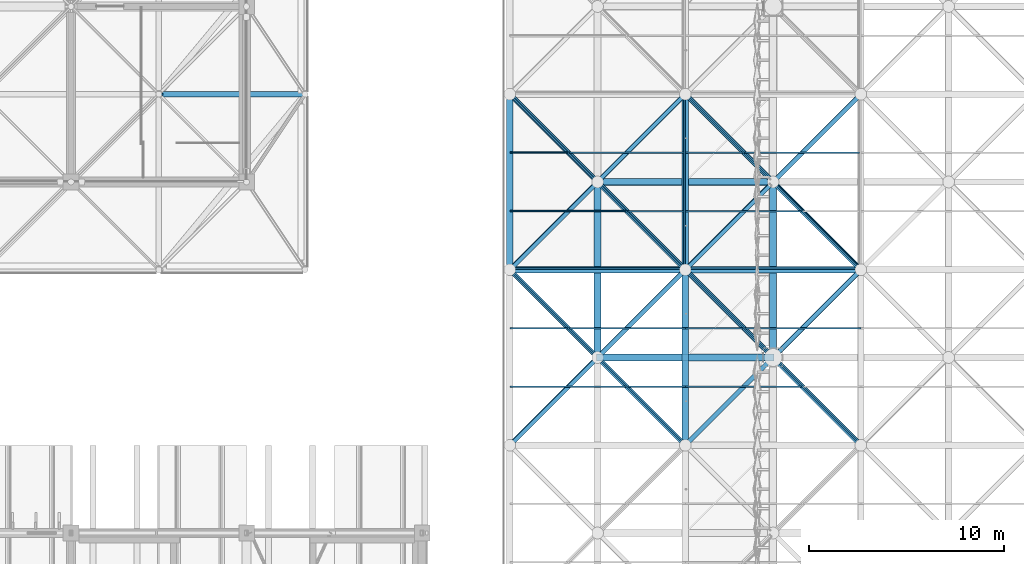
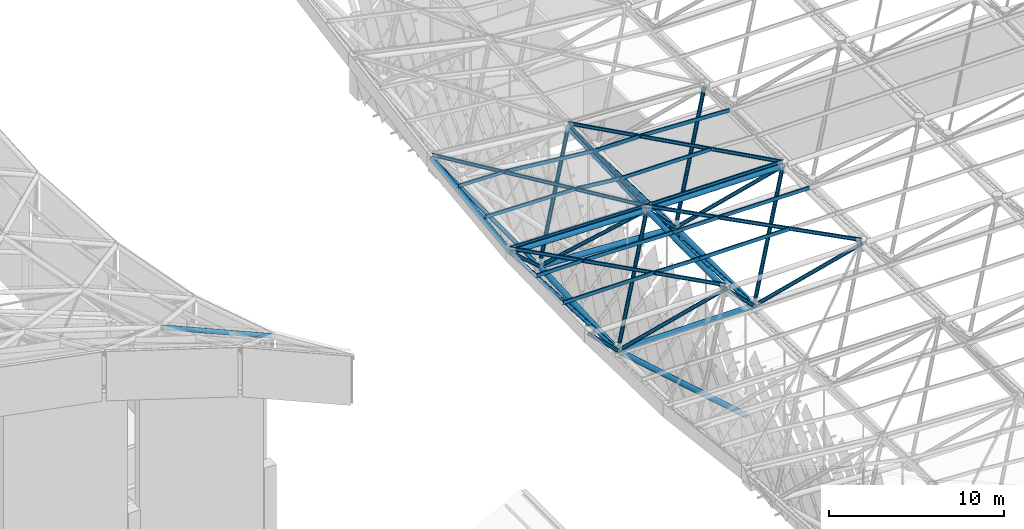
# One storey, part 80 of 437: 48 members.
"""IFC4 building model written with IfcOpenShell, lengths in metres."""

from ifc_helpers import new_model, si_unit, direction, frame, origin, origin_2d, place, context, subcontext, project, spatial, polyline, hollow_circle, outline, extrude, material, material_profile, profile_set, type_object, element, save


model = new_model("IFC4")

# Units and contexts
model_context = context("Model", 3, precision=1e-05, world=origin(), true_north=direction((0.0, 1.0)))
body_context = subcontext(model_context, "Body", "Model", "MODEL_VIEW")
ifc_project = project(units=[si_unit("LENGTHUNIT", "METRE"), si_unit("AREAUNIT", "SQUARE_METRE"), si_unit("VOLUMEUNIT", "CUBIC_METRE"), si_unit("PLANEANGLEUNIT", "RADIAN"), si_unit("MASSUNIT", "GRAM", prefix="KILO")], contexts=[model_context])

# Site, building, storey
site_placement = place(None, origin())
site = spatial("IfcSite", under=ifc_project, at=site_placement, CompositionType="ELEMENT")
building_placement = place(site_placement, origin())
building = spatial("IfcBuilding", under=site, at=building_placement, Name="Opaline Strait Convention Centre", CompositionType="ELEMENT")
storey_placement = place(building_placement, frame((0.0, 0.0, 11.5)))
storey = spatial("IfcBuildingStorey", under=building, at=storey_placement, Name="L02", CompositionType="ELEMENT", Elevation=11.5)

# Members
ifc_material = material(Name="Steel Q355B", Category="steel")
ifc_material_profile_1 = material_profile(ifc_material, hollow_circle(Radius=0.175537109375, WallThickness=0.01611328125, at=origin_2d()), Name="CHS 351x16")
ifc_profile_set_1 = profile_set([ifc_material_profile_1], Name="Steel Q355B")
member_type_1 = type_object("IfcMemberType", Name="Raking prop CHS 351x16", PredefinedType="BRACE", material=ifc_profile_set_1)
member_1_placement = place(storey_placement, frame((98.48388671875, 108.0, 5.01416015625), z_axis=(-0.749441071414, 0.0, 0.662071053949), x_axis=(0.0, -1.0, 0.0)))
element("IfcMember", 1, at=member_1_placement, inside=storey, type_object=member_type_1, Name="Raking prop 99/108 W", PredefinedType="BRACE", context=body_context, shape_type="SweptSolid", body=[
    extrude(hollow_circle(Radius=0.175537109375, WallThickness=0.01611328125, at=origin_2d()), origin(), (0.0, 0.0, 1.0), 11.3701171875),
])
ifc_material_profile_2 = material_profile(ifc_material, outline(polyline([(-0.03759765625, -0.125), (0.03759765625, -0.125), (0.03759765625, -0.10498046875), (0.034912109375, -0.10498046875), (0.034912109375, -0.12255859375), (-0.034912109375, -0.12255859375), (-0.034912109375, 0.12255859375), (0.034912109375, 0.12255859375), (0.034912109375, 0.10498046875), (0.03759765625, 0.10498046875), (0.03759765625, 0.125), (-0.03759765625, 0.125), (-0.03759765625, -0.125)])), Name="C 250x75x20x2.5")
ifc_profile_set_2 = profile_set([ifc_material_profile_2], Name="Steel Q355B")
member_type_2 = type_object("IfcMemberType", Name="Roof purlin C 250x75x20x2.5", PredefinedType="PURLIN", material=ifc_profile_set_2)
member_2_placement = place(storey_placement, frame((94.5, 103.5, 18.255859375), z_axis=(-0.706967474347, 0.706967474347, 0.01984894032), x_axis=(-0.706940201705, -0.707208676567, 0.009562374229)))
element("IfcMember", 2, at=member_2_placement, inside=storey, type_object=member_type_2, Name="EXB-RF-F-0-7", PredefinedType="PURLIN", context=body_context, shape_type="SweptSolid", body=[
    extrude(outline(polyline([(-0.03759765625, -0.125), (0.03759765625, -0.125), (0.03759765625, -0.10498046875), (0.034912109375, -0.10498046875), (0.034912109375, -0.12255859375), (-0.034912109375, -0.12255859375), (-0.034912109375, 0.12255859375), (0.034912109375, 0.12255859375), (0.034912109375, 0.10498046875), (0.03759765625, 0.10498046875), (0.03759765625, 0.125), (-0.03759765625, 0.125), (-0.03759765625, -0.125)])), origin(), (0.0, 0.0, 1.0), 12.73046875),
])
member_3_placement = place(storey_placement, frame((91.550048828125, 106.5, 18.34033203125), z_axis=(0.999782589814, 0.0, -0.020851213493), x_axis=(0.000151681489, 0.999973540706, 0.007272886619)))
element("IfcMember", 3, at=member_3_placement, inside=storey, type_object=member_type_2, Name="EXB-RF-P-0-7-0a", PredefinedType="PURLIN", context=body_context, shape_type="SweptSolid", body=[
    extrude(outline(polyline([(-0.03759765625, -0.125), (0.03759765625, -0.125), (0.03759765625, -0.10498046875), (0.034912109375, -0.10498046875), (0.034912109375, -0.12255859375), (-0.034912109375, -0.12255859375), (-0.034912109375, 0.12255859375), (0.034912109375, 0.12255859375), (0.034912109375, 0.10498046875), (0.03759765625, 0.10498046875), (0.03759765625, 0.125), (-0.03759765625, 0.125), (-0.03759765625, -0.125)])), origin(), (0.0, 0.0, 1.0), 2.95068359375),
])
member_4_placement = place(storey_placement, frame((88.550048828125, 109.5, 18.424560546875), z_axis=(0.999783679197, 0.0, -0.020798913682), x_axis=(0.000151301035, 0.999973540706, 0.007272894544)))
element("IfcMember", 4, at=member_4_placement, inside=storey, type_object=member_type_2, Name="EXB-RF-P-0-7-1a", PredefinedType="PURLIN", context=body_context, shape_type="SweptSolid", body=[
    extrude(outline(polyline([(-0.03759765625, -0.125), (0.03759765625, -0.125), (0.03759765625, -0.10498046875), (0.034912109375, -0.10498046875), (0.034912109375, -0.12255859375), (-0.034912109375, -0.12255859375), (-0.034912109375, 0.12255859375), (0.034912109375, 0.12255859375), (0.034912109375, 0.10498046875), (0.03759765625, 0.10498046875), (0.03759765625, 0.125), (-0.03759765625, 0.125), (-0.03759765625, -0.125)])), origin(), (0.0, 0.0, 1.0), 5.951171875),
])
member_5_placement = place(storey_placement, frame((85.5, 106.5, 18.34130859375), z_axis=(1.0, 0.0, 0.0), x_axis=(0.0, 0.999606059758, 0.028066444278)))
element("IfcMember", 5, at=member_5_placement, inside=storey, type_object=member_type_2, Name="EXB-RF-P-0-7-0b", PredefinedType="PURLIN", context=body_context, shape_type="SweptSolid", body=[
    extrude(outline(polyline([(-0.03759765625, -0.125), (0.03759765625, -0.125), (0.03759765625, -0.10498046875), (0.034912109375, -0.10498046875), (0.034912109375, -0.12255859375), (-0.034912109375, -0.12255859375), (-0.034912109375, 0.12255859375), (0.034912109375, 0.12255859375), (0.034912109375, 0.10498046875), (0.03759765625, 0.10498046875), (0.03759765625, 0.125), (-0.03759765625, 0.125), (-0.03759765625, -0.125)])), origin(), (0.0, 0.0, 1.0), 5.949951171875),
])
member_6_placement = place(storey_placement, frame((85.5, 109.5, 18.425537109375), z_axis=(1.0, 0.0, 0.0), x_axis=(0.0, 0.999606059758, 0.028066444278)))
element("IfcMember", 6, at=member_6_placement, inside=storey, type_object=member_type_2, Name="EXB-RF-P-0-7-1b", PredefinedType="PURLIN", context=body_context, shape_type="SweptSolid", body=[
    extrude(outline(polyline([(-0.03759765625, -0.125), (0.03759765625, -0.125), (0.03759765625, -0.10498046875), (0.034912109375, -0.10498046875), (0.034912109375, -0.12255859375), (-0.034912109375, -0.12255859375), (-0.034912109375, 0.12255859375), (0.034912109375, 0.12255859375), (0.034912109375, 0.10498046875), (0.03759765625, 0.10498046875), (0.03759765625, 0.125), (-0.03759765625, 0.125), (-0.03759765625, -0.125)])), origin(), (0.0, 0.0, 1.0), 2.949951171875),
])
member_7_placement = place(storey_placement, frame((103.5, 103.5, 18.256591796875), z_axis=(-0.7070974383, 0.7070974383, 0.005140573824), x_axis=(-0.707116123947, -0.707078731646, -0.005143394667)))
element("IfcMember", 7, at=member_7_placement, inside=storey, type_object=member_type_2, Name="EXB-RF-F-1-7", PredefinedType="PURLIN", context=body_context, shape_type="SweptSolid", body=[
    extrude(outline(polyline([(-0.03759765625, -0.125), (0.03759765625, -0.125), (0.03759765625, -0.10498046875), (0.034912109375, -0.10498046875), (0.034912109375, -0.12255859375), (-0.034912109375, -0.12255859375), (-0.034912109375, 0.12255859375), (0.034912109375, 0.12255859375), (0.034912109375, 0.10498046875), (0.03759765625, 0.10498046875), (0.03759765625, 0.125), (-0.03759765625, 0.125), (-0.03759765625, -0.125)])), origin(), (0.0, 0.0, 1.0), 12.72802734375),
])
member_8_placement = place(storey_placement, frame((97.550048828125, 109.5, 18.30029296875), z_axis=(0.999973627418, 0.0, -0.007262538757), x_axis=(0.0, 1.0, 0.0)))
element("IfcMember", 8, at=member_8_placement, inside=storey, type_object=member_type_2, Name="EXB-RF-P-1-7-1a", PredefinedType="PURLIN", context=body_context, shape_type="SweptSolid", body=[
    extrude(outline(polyline([(-0.03759765625, -0.125), (0.03759765625, -0.125), (0.03759765625, -0.10498046875), (0.034912109375, -0.10498046875), (0.034912109375, -0.12255859375), (-0.034912109375, -0.12255859375), (-0.034912109375, 0.12255859375), (0.034912109375, 0.12255859375), (0.034912109375, 0.10498046875), (0.03759765625, 0.10498046875), (0.03759765625, 0.125), (-0.03759765625, 0.125), (-0.03759765625, -0.125)])), origin(), (0.0, 0.0, 1.0), 5.9501953125),
])
member_9_placement = place(storey_placement, frame((94.5, 106.5, 18.27880859375), z_axis=(1.0, 0.0, 0.0), x_axis=(0.0, 0.999973540706, 0.007274468163)))
element("IfcMember", 9, at=member_9_placement, inside=storey, type_object=member_type_2, Name="EXB-RF-P-1-7-0b", PredefinedType="PURLIN", context=body_context, shape_type="SweptSolid", body=[
    extrude(outline(polyline([(-0.03759765625, -0.125), (0.03759765625, -0.125), (0.03759765625, -0.10498046875), (0.034912109375, -0.10498046875), (0.034912109375, -0.12255859375), (-0.034912109375, -0.12255859375), (-0.034912109375, 0.12255859375), (0.034912109375, 0.12255859375), (0.034912109375, 0.10498046875), (0.03759765625, 0.10498046875), (0.03759765625, 0.125), (-0.03759765625, 0.125), (-0.03759765625, -0.125)])), origin(), (0.0, 0.0, 1.0), 5.949951171875),
])
member_10_placement = place(storey_placement, frame((94.5, 109.5, 18.300537109375), z_axis=(1.0, 0.0, 0.0), x_axis=(0.0, 0.999973540706, 0.007274468163)))
element("IfcMember", 10, at=member_10_placement, inside=storey, type_object=member_type_2, Name="EXB-RF-P-1-7-1b", PredefinedType="PURLIN", context=body_context, shape_type="SweptSolid", body=[
    extrude(outline(polyline([(-0.03759765625, -0.125), (0.03759765625, -0.125), (0.03759765625, -0.10498046875), (0.034912109375, -0.10498046875), (0.034912109375, -0.12255859375), (-0.034912109375, -0.12255859375), (-0.034912109375, 0.12255859375), (0.034912109375, 0.12255859375), (0.034912109375, 0.10498046875), (0.03759765625, 0.10498046875), (0.03759765625, 0.125), (-0.03759765625, 0.125), (-0.03759765625, -0.125)])), origin(), (0.0, 0.0, 1.0), 2.949951171875),
])
member_11_placement = place(storey_placement, frame((94.5, 112.5, 18.319580078125), z_axis=(-0.703588662414, 0.703588662414, 0.099629253955), x_axis=(-0.710307330996, -0.700419485379, -0.069828647665)))
element("IfcMember", 11, at=member_11_placement, inside=storey, type_object=member_type_2, Name="EXB-RF-F-0-8", PredefinedType="PURLIN", context=body_context, shape_type="SweptSolid", body=[
    extrude(outline(polyline([(-0.03759765625, -0.125), (0.03759765625, -0.125), (0.03759765625, -0.10498046875), (0.034912109375, -0.10498046875), (0.034912109375, -0.12255859375), (-0.034912109375, -0.12255859375), (-0.034912109375, 0.12255859375), (0.034912109375, 0.12255859375), (0.034912109375, 0.10498046875), (0.03759765625, 0.10498046875), (0.03759765625, 0.125), (-0.03759765625, 0.125), (-0.03759765625, -0.125)])), origin(), (0.0, 0.0, 1.0), 12.79150390625),
])
member_12_placement = place(storey_placement, frame((94.447509765625, 112.449951171875, 18.32666015625), z_axis=(0.0, 0.999301400504, 0.037372596241), x_axis=(-0.994620331005, -0.003871338683, 0.103515264032)))
element("IfcMember", 12, at=member_12_placement, inside=storey, type_object=member_type_2, Name="EXB-RF-E-0-8a", PredefinedType="PURLIN", context=body_context, shape_type="SweptSolid", body=[
    extrude(outline(polyline([(-0.03759765625, -0.125), (0.03759765625, -0.125), (0.03759765625, -0.10498046875), (0.034912109375, -0.10498046875), (0.034912109375, -0.12255859375), (-0.034912109375, -0.12255859375), (-0.034912109375, 0.12255859375), (0.034912109375, 0.12255859375), (0.034912109375, 0.10498046875), (0.03759765625, 0.10498046875), (0.03759765625, 0.125), (-0.03759765625, 0.125), (-0.03759765625, -0.125)])), origin(), (0.0, 0.0, 1.0), 9.1064453125),
])
member_13_placement = place(storey_placement, frame((91.550048828125, 115.5, 18.74267578125), z_axis=(0.994614584479, 0.0, -0.103642792038), x_axis=(0.003871247661, 0.999302177023, 0.037150672111)))
element("IfcMember", 13, at=member_13_placement, inside=storey, type_object=member_type_2, Name="EXB-RF-P-0-8-0a", PredefinedType="PURLIN", context=body_context, shape_type="SweptSolid", body=[
    extrude(outline(polyline([(-0.03759765625, -0.125), (0.03759765625, -0.125), (0.03759765625, -0.10498046875), (0.034912109375, -0.10498046875), (0.034912109375, -0.12255859375), (-0.034912109375, -0.12255859375), (-0.034912109375, 0.12255859375), (0.034912109375, 0.12255859375), (0.034912109375, 0.10498046875), (0.03759765625, 0.10498046875), (0.03759765625, 0.125), (-0.03759765625, 0.125), (-0.03759765625, -0.125)])), origin(), (0.0, 0.0, 1.0), 2.87841796875),
])
member_14_placement = place(storey_placement, frame((88.550048828125, 118.5, 19.16748046875), z_axis=(0.994612272059, 0.0, -0.103664980927), x_axis=(0.003872076456, 0.999302177023, 0.037150585738)))
element("IfcMember", 14, at=member_14_placement, inside=storey, type_object=member_type_2, Name="EXB-RF-P-0-8-1a", PredefinedType="PURLIN", context=body_context, shape_type="SweptSolid", body=[
    extrude(outline(polyline([(-0.03759765625, -0.125), (0.03759765625, -0.125), (0.03759765625, -0.10498046875), (0.034912109375, -0.10498046875), (0.034912109375, -0.12255859375), (-0.034912109375, -0.12255859375), (-0.034912109375, 0.12255859375), (0.034912109375, 0.12255859375), (0.034912109375, 0.10498046875), (0.03759765625, 0.10498046875), (0.03759765625, 0.125), (-0.03759765625, 0.125), (-0.03759765625, -0.125)])), origin(), (0.0, 0.0, 1.0), 5.894775390625),
])
member_15_placement = place(storey_placement, frame((94.550048828125, 112.554443359375, 18.328369140625), z_axis=(-0.999783916988, 0.0, 0.020787480165), x_axis=(-0.002492335547, -0.992786458004, -0.119870084123)))
element("IfcMember", 15, at=member_15_placement, inside=storey, type_object=member_type_2, Name="EXB-RF-E-0-8b", PredefinedType="PURLIN", context=body_context, shape_type="SweptSolid", body=[
    extrude(outline(polyline([(-0.03759765625, -0.125), (0.03759765625, -0.125), (0.03759765625, -0.10498046875), (0.034912109375, -0.10498046875), (0.034912109375, -0.12255859375), (-0.034912109375, -0.12255859375), (-0.034912109375, 0.12255859375), (0.034912109375, 0.12255859375), (0.034912109375, 0.10498046875), (0.03759765625, 0.10498046875), (0.03759765625, 0.125), (-0.03759765625, 0.125), (-0.03759765625, -0.125)])), origin(), (0.0, 0.0, 1.0), 9.10205078125),
])
member_16_placement = place(storey_placement, frame((85.5, 115.5, 18.872314453125), z_axis=(0.999783679197, 0.0, -0.020798913682), x_axis=(0.002494246966, 0.992783318794, 0.119896041038)))
element("IfcMember", 16, at=member_16_placement, inside=storey, type_object=member_type_2, Name="EXB-RF-P-0-8-0b", PredefinedType="PURLIN", context=body_context, shape_type="SweptSolid", body=[
    extrude(outline(polyline([(-0.03759765625, -0.125), (0.03759765625, -0.125), (0.03759765625, -0.10498046875), (0.034912109375, -0.10498046875), (0.034912109375, -0.12255859375), (-0.034912109375, -0.12255859375), (-0.034912109375, 0.12255859375), (0.034912109375, 0.12255859375), (0.034912109375, 0.10498046875), (0.03759765625, 0.10498046875), (0.03759765625, 0.125), (-0.03759765625, 0.125), (-0.03759765625, -0.125)])), origin(), (0.0, 0.0, 1.0), 5.951171875),
])
member_17_placement = place(storey_placement, frame((85.5, 118.5, 19.23486328125), z_axis=(0.999782589814, 0.0, -0.020851213493), x_axis=(0.002500518863, 0.992783318794, 0.119895910397)))
element("IfcMember", 17, at=member_17_placement, inside=storey, type_object=member_type_2, Name="EXB-RF-P-0-8-1b", PredefinedType="PURLIN", context=body_context, shape_type="SweptSolid", body=[
    extrude(outline(polyline([(-0.03759765625, -0.125), (0.03759765625, -0.125), (0.03759765625, -0.10498046875), (0.034912109375, -0.10498046875), (0.034912109375, -0.12255859375), (-0.034912109375, -0.12255859375), (-0.034912109375, 0.12255859375), (0.034912109375, 0.12255859375), (0.034912109375, 0.10498046875), (0.03759765625, 0.10498046875), (0.03759765625, 0.125), (-0.03759765625, 0.125), (-0.03759765625, -0.125)])), origin(), (0.0, 0.0, 1.0), 2.95068359375),
])
member_18_placement = place(storey_placement, frame((103.5, 112.5, 18.25537109375), z_axis=(-0.706754608869, 0.706754608869, 0.031557022738), x_axis=(-0.707421437094, -0.706472170757, -0.021259874997)))
element("IfcMember", 18, at=member_18_placement, inside=storey, type_object=member_type_2, Name="EXB-RF-F-1-8", PredefinedType="PURLIN", context=body_context, shape_type="SweptSolid", body=[
    extrude(outline(polyline([(-0.03759765625, -0.125), (0.03759765625, -0.125), (0.03759765625, -0.10498046875), (0.034912109375, -0.10498046875), (0.034912109375, -0.12255859375), (-0.034912109375, -0.12255859375), (-0.034912109375, 0.12255859375), (0.034912109375, 0.12255859375), (0.034912109375, 0.10498046875), (0.03759765625, 0.10498046875), (0.03759765625, 0.125), (-0.03759765625, 0.125), (-0.03759765625, -0.125)])), origin(), (0.0, 0.0, 1.0), 12.734375),
])
member_19_placement = place(storey_placement, frame((97.550048828125, 118.5, 18.522705078125), z_axis=(0.999005721795, 0.0, -0.044582146876), x_axis=(0.0, 1.0, 0.0)))
element("IfcMember", 19, at=member_19_placement, inside=storey, type_object=member_type_2, Name="EXB-RF-P-1-8-1a", PredefinedType="PURLIN", context=body_context, shape_type="SweptSolid", body=[
    extrude(outline(polyline([(-0.03759765625, -0.125), (0.03759765625, -0.125), (0.03759765625, -0.10498046875), (0.034912109375, -0.10498046875), (0.034912109375, -0.12255859375), (-0.034912109375, -0.12255859375), (-0.034912109375, 0.12255859375), (0.034912109375, 0.12255859375), (0.034912109375, 0.10498046875), (0.03759765625, 0.10498046875), (0.03759765625, 0.125), (-0.03759765625, 0.125), (-0.03759765625, -0.125)])), origin(), (0.0, 0.0, 1.0), 5.8759765625),
])
member_20_placement = place(storey_placement, frame((103.550048828125, 112.54443359375, 18.25830078125), z_axis=(-0.999973571083, 0.0, 0.007270291296), x_axis=(-0.000271545984, -0.999302242213, -0.037349095988)))
element("IfcMember", 20, at=member_20_placement, inside=storey, type_object=member_type_2, Name="EXB-RF-E-1-8b", PredefinedType="PURLIN", context=body_context, shape_type="SweptSolid", body=[
    extrude(outline(polyline([(-0.03759765625, -0.125), (0.03759765625, -0.125), (0.03759765625, -0.10498046875), (0.034912109375, -0.10498046875), (0.034912109375, -0.12255859375), (-0.034912109375, -0.12255859375), (-0.034912109375, 0.12255859375), (0.034912109375, 0.12255859375), (0.034912109375, 0.10498046875), (0.03759765625, 0.10498046875), (0.03759765625, 0.125), (-0.03759765625, 0.125), (-0.03759765625, -0.125)])), origin(), (0.0, 0.0, 1.0), 9.100341796875),
])
member_21_placement = place(storey_placement, frame((94.5, 115.5, 18.4345703125), z_axis=(0.999973627418, 0.0, -0.007262538757), x_axis=(0.000271269093, 0.999302177023, 0.037350842157)))
element("IfcMember", 21, at=member_21_placement, inside=storey, type_object=member_type_2, Name="EXB-RF-P-1-8-0b", PredefinedType="PURLIN", context=body_context, shape_type="SweptSolid", body=[
    extrude(outline(polyline([(-0.03759765625, -0.125), (0.03759765625, -0.125), (0.03759765625, -0.10498046875), (0.034912109375, -0.10498046875), (0.034912109375, -0.12255859375), (-0.034912109375, -0.12255859375), (-0.034912109375, 0.12255859375), (0.034912109375, 0.12255859375), (0.034912109375, 0.10498046875), (0.03759765625, 0.10498046875), (0.03759765625, 0.125), (-0.03759765625, 0.125), (-0.03759765625, -0.125)])), origin(), (0.0, 0.0, 1.0), 5.9501953125),
])
member_22_placement = place(storey_placement, frame((94.5, 118.5, 18.546875), z_axis=(0.999973480305, 0.0, -0.007282766388), x_axis=(0.000272024632, 0.999302177023, 0.037350836662)))
element("IfcMember", 22, at=member_22_placement, inside=storey, type_object=member_type_2, Name="EXB-RF-P-1-8-1b", PredefinedType="PURLIN", context=body_context, shape_type="SweptSolid", body=[
    extrude(outline(polyline([(-0.03759765625, -0.125), (0.03759765625, -0.125), (0.03759765625, -0.10498046875), (0.034912109375, -0.10498046875), (0.034912109375, -0.12255859375), (-0.034912109375, -0.12255859375), (-0.034912109375, 0.12255859375), (0.034912109375, 0.12255859375), (0.034912109375, 0.10498046875), (0.03759765625, 0.10498046875), (0.03759765625, 0.125), (-0.03759765625, 0.125), (-0.03759765625, -0.125)])), origin(), (0.0, 0.0, 1.0), 2.949951171875),
])
ifc_material_profile_3 = material_profile(ifc_material, hollow_circle(Radius=0.1494140625, WallThickness=0.01611328125, at=origin_2d()), Name="CHS 299x16")
ifc_profile_set_3 = profile_set([ifc_material_profile_3], Name="Steel Q355B")
member_type_3 = type_object("IfcMemberType", Name="Shell truss top chord CHS 299x16", PredefinedType="CHORD", material=ifc_profile_set_3)
member_23_placement = place(storey_placement, frame((67.64990234375, 121.5, 13.77978515625), z_axis=(0.917383800951, 0.0, -0.398003720777), x_axis=(0.0, 1.0, 0.0)))
element("IfcMember", 23, at=member_23_placement, inside=storey, type_object=member_type_3, Name="PTC1 top chord X8-2", PredefinedType="CHORD", context=body_context, shape_type="SweptSolid", body=[
    extrude(hollow_circle(Radius=0.1494140625, WallThickness=0.01611328125, at=origin_2d()), origin(), (0.0, 0.0, 1.0), 7.8486328125),
])
ifc_material_profile_4 = material_profile(ifc_material, hollow_circle(Radius=0.175537109375, WallThickness=0.01611328125, at=origin_2d()), Name="CHS 351x16")
ifc_profile_set_4 = profile_set([ifc_material_profile_4], Name="Steel Q355B")
member_type_4 = type_object("IfcMemberType", Name="Space frame bottom chord CHS 351x16", PredefinedType="CHORD", material=ifc_profile_set_4)
member_24_placement = place(storey_placement, frame((89.949951171875, 108.0, 12.509033203125), z_axis=(0.999999507324, 0.0, -0.000992648542), x_axis=(0.0, 1.0, 0.0)))
element("IfcMember", 24, at=member_24_placement, inside=storey, type_object=member_type_4, Name="EXB-RF-BX-0-7", PredefinedType="CHORD", context=body_context, shape_type="SweptSolid", body=[
    extrude(hollow_circle(Radius=0.175537109375, WallThickness=0.01611328125, at=origin_2d()), origin(), (0.0, 0.0, 1.0), 9.10009765625),
])
member_25_placement = place(storey_placement, frame((89.949951171875, 117.0, 12.9619140625), z_axis=(0.998700632728, 0.0, -0.050961222392), x_axis=(0.0, 1.0, 0.0)))
element("IfcMember", 25, at=member_25_placement, inside=storey, type_object=member_type_4, Name="EXB-RF-BX-0-8", PredefinedType="CHORD", context=body_context, shape_type="SweptSolid", body=[
    extrude(hollow_circle(Radius=0.175537109375, WallThickness=0.01611328125, at=origin_2d()), origin(), (0.0, 0.0, 1.0), 9.11181640625),
])
member_26_placement = place(storey_placement, frame((90.0, 107.949951171875, 12.50634765625), z_axis=(0.0, 0.998749263269, 0.049999091197), x_axis=(-1.0, 0.0, 0.0)))
element("IfcMember", 26, at=member_26_placement, inside=storey, type_object=member_type_4, Name="EXB-RF-BY-0-7", PredefinedType="CHORD", context=body_context, shape_type="SweptSolid", body=[
    extrude(hollow_circle(Radius=0.175537109375, WallThickness=0.01611328125, at=origin_2d()), origin(), (0.0, 0.0, 1.0), 9.111572265625),
])
member_27_placement = place(storey_placement, frame((99.0, 107.949951171875, 12.5), z_axis=(0.0, 1.0, 0.0), x_axis=(-1.0, 0.0, 0.0)))
element("IfcMember", 27, at=member_27_placement, inside=storey, type_object=member_type_4, Name="EXB-RF-BY-1-7", PredefinedType="CHORD", context=body_context, shape_type="SweptSolid", body=[
    extrude(hollow_circle(Radius=0.175537109375, WallThickness=0.01611328125, at=origin_2d()), origin(), (0.0, 0.0, 1.0), 9.10009765625),
])
ifc_material_profile_5 = material_profile(ifc_material, hollow_circle(Radius=0.16259765625, WallThickness=0.013916015625, at=origin_2d()), Name="CHS 325x14")
ifc_profile_set_5 = profile_set([ifc_material_profile_5], Name="Steel Q355B")
member_type_5 = type_object("IfcMemberType", Name="Space frame top chord CHS 325x14", PredefinedType="CHORD", material=ifc_profile_set_5)
member_28_placement = place(storey_placement, frame((85.5, 112.450439453125, 18.21826171875), z_axis=(0.0, 0.992783260631, 0.119922464163), x_axis=(-1.0, 0.0, 0.0)))
element("IfcMember", 28, at=member_28_placement, inside=storey, type_object=member_type_5, Name="EXB-RF-TY-0-8", PredefinedType="CHORD", context=body_context, shape_type="SweptSolid", body=[
    extrude(hollow_circle(Radius=0.16259765625, WallThickness=0.013916015625, at=origin_2d()), origin(), (0.0, 0.0, 1.0), 9.165283203125),
])
ifc_material_profile_6 = material_profile(ifc_material, hollow_circle(Radius=0.16259765625, WallThickness=0.02001953125, at=origin_2d()), Name="CHS 325x20")
ifc_profile_set_6 = profile_set([ifc_material_profile_6], Name="Steel Q355B")
member_type_6 = type_object("IfcMemberType", Name="Space frame top chord CHS 325x20", PredefinedType="CHORD", material=ifc_profile_set_6)
member_29_placement = place(storey_placement, frame((85.449951171875, 112.5, 18.225341796875), z_axis=(0.999783359176, 0.0, -0.020814291107), x_axis=(0.0, 1.0, 0.0)))
element("IfcMember", 29, at=member_29_placement, inside=storey, type_object=member_type_6, Name="EXB-RF-TX-0-8", PredefinedType="CHORD", context=body_context, shape_type="SweptSolid", body=[
    extrude(hollow_circle(Radius=0.16259765625, WallThickness=0.02001953125, at=origin_2d()), origin(), (0.0, 0.0, 1.0), 9.10205078125),
])
for number, where, z_axis, x_axis, name in (
    (30, (94.449951171875, 112.5, 18.037353515625), (0.999973571083, 0.0, -0.007270291296), (0.0, 1.0, 0.0), "EXB-RF-TX-1-8"),
    (31, (94.5, 103.449951171875, 17.97119140625), (0.0, 0.999973571083, 0.007270291296), (-1.0, 0.0, 0.0), "EXB-RF-TY-1-7"),
):
    element("IfcMember", number, at=place(storey_placement, frame(where, z_axis=z_axis, x_axis=x_axis)), inside=storey, type_object=member_type_6, Name=name, PredefinedType="CHORD", context=body_context, shape_type="SweptSolid", body=[
        extrude(hollow_circle(Radius=0.16259765625, WallThickness=0.02001953125, at=origin_2d()), origin(), (0.0, 0.0, 1.0), 9.100341796875),
    ])
member_30_placement = place(storey_placement, frame((94.5, 112.449951171875, 18.03515625), z_axis=(0.0, 0.999302401392, 0.037345824037), x_axis=(-1.0, 0.0, 0.0)))
element("IfcMember", 32, at=member_30_placement, inside=storey, type_object=member_type_6, Name="EXB-RF-TY-1-8", PredefinedType="CHORD", context=body_context, shape_type="SweptSolid", body=[
    extrude(hollow_circle(Radius=0.16259765625, WallThickness=0.02001953125, at=origin_2d()), origin(), (0.0, 0.0, 1.0), 9.1064453125),
])
ifc_material_profile_7 = material_profile(ifc_material, hollow_circle(Radius=0.12255859375, WallThickness=0.011962890625, at=origin_2d()), Name="CHS 245x12")
ifc_profile_set_7 = profile_set([ifc_material_profile_7], Name="Steel Q355B")
member_type_7 = type_object("IfcMemberType", Name="Space frame web CHS 245x12", PredefinedType="BRACE", material=ifc_profile_set_7)
member_31_placement = place(storey_placement, frame((85.47314453125, 103.47314453125, 18.004150390625), z_axis=(0.536550097538, 0.536550097538, -0.651327863417), x_axis=(-0.707106781187, 0.707106781187, 0.0)))
element("IfcMember", 33, at=member_31_placement, inside=storey, type_object=member_type_7, Name="EXB-RF-W-0-7-00", PredefinedType="BRACE", context=body_context, shape_type="SweptSolid", body=[
    extrude(hollow_circle(Radius=0.12255859375, WallThickness=0.011962890625, at=origin_2d()), origin(), (0.0, 0.0, 1.0), 8.487060546875),
])
member_32_placement = place(storey_placement, frame((85.4736328125, 112.5263671875, 18.257568359375), z_axis=(0.526104118991, -0.526104118991, -0.668153359613), x_axis=(0.707106781187, 0.707106781187, 0.0)))
element("IfcMember", 34, at=member_32_placement, inside=storey, type_object=member_type_7, Name="EXB-RF-W-0-7-01", PredefinedType="BRACE", context=body_context, shape_type="SweptSolid", body=[
    extrude(hollow_circle(Radius=0.12255859375, WallThickness=0.011962890625, at=origin_2d()), origin(), (0.0, 0.0, 1.0), 8.653564453125),
])
member_33_placement = place(storey_placement, frame((94.52685546875, 103.47314453125, 18.004150390625), z_axis=(-0.536550097538, 0.536550097538, -0.651327863417), x_axis=(-0.707106781187, -0.707106781187, 0.0)))
element("IfcMember", 35, at=member_33_placement, inside=storey, type_object=member_type_7, Name="EXB-RF-W-0-7-10", PredefinedType="BRACE", context=body_context, shape_type="SweptSolid", body=[
    extrude(hollow_circle(Radius=0.12255859375, WallThickness=0.011962890625, at=origin_2d()), origin(), (0.0, 0.0, 1.0), 8.487060546875),
])
member_34_placement = place(storey_placement, frame((94.526611328125, 112.526611328125, 18.06982421875), z_axis=(-0.533815659116, -0.533815659116, -0.655806133065), x_axis=(0.707106781187, -0.707106781187, 0.0)))
element("IfcMember", 36, at=member_34_placement, inside=storey, type_object=member_type_7, Name="EXB-RF-W-0-7-11", PredefinedType="BRACE", context=body_context, shape_type="SweptSolid", body=[
    extrude(hollow_circle(Radius=0.12255859375, WallThickness=0.011962890625, at=origin_2d()), origin(), (0.0, 0.0, 1.0), 8.529541015625),
])
member_35_placement = place(storey_placement, frame((85.47265625, 112.47265625, 18.256103515625), z_axis=(0.544839052131, 0.544839052131, -0.637417300162), x_axis=(-0.707106781187, 0.707106781187, 0.0)))
element("IfcMember", 37, at=member_35_placement, inside=storey, type_object=member_type_7, Name="EXB-RF-W-0-8-00", PredefinedType="BRACE", context=body_context, shape_type="SweptSolid", body=[
    extrude(hollow_circle(Radius=0.12255859375, WallThickness=0.011962890625, at=origin_2d()), origin(), (0.0, 0.0, 1.0), 8.359619140625),
])
member_36_placement = place(storey_placement, frame((85.47509765625, 121.52490234375, 19.3466796875), z_axis=(0.500458219713, -0.500458219713, -0.706458166237), x_axis=(0.707106781187, 0.707106781187, 0.0)))
element("IfcMember", 38, at=member_36_placement, inside=storey, type_object=member_type_7, Name="EXB-RF-W-0-8-01", PredefinedType="BRACE", context=body_context, shape_type="SweptSolid", body=[
    extrude(hollow_circle(Radius=0.12255859375, WallThickness=0.011962890625, at=origin_2d()), origin(), (0.0, 0.0, 1.0), 9.09130859375),
])
member_37_placement = place(storey_placement, frame((94.527587890625, 112.472412109375, 18.068115234375), z_axis=(-0.552730589909, 0.552730589909, -0.623680839819), x_axis=(-0.707106781187, -0.707106781187, 0.0)))
element("IfcMember", 39, at=member_37_placement, inside=storey, type_object=member_type_7, Name="EXB-RF-W-0-8-10", PredefinedType="BRACE", context=body_context, shape_type="SweptSolid", body=[
    extrude(hollow_circle(Radius=0.12255859375, WallThickness=0.011962890625, at=origin_2d()), origin(), (0.0, 0.0, 1.0), 8.2412109375),
])
member_38_placement = place(storey_placement, frame((94.52685546875, 121.52685546875, 18.40576171875), z_axis=(-0.538573162213, -0.538573162213, -0.647979859169), x_axis=(0.707106781187, -0.707106781187, 0.0)))
element("IfcMember", 40, at=member_38_placement, inside=storey, type_object=member_type_7, Name="EXB-RF-W-0-8-11", PredefinedType="BRACE", context=body_context, shape_type="SweptSolid", body=[
    extrude(hollow_circle(Radius=0.12255859375, WallThickness=0.011962890625, at=origin_2d()), origin(), (0.0, 0.0, 1.0), 8.455078125),
])
member_39_placement = place(storey_placement, frame((94.47314453125, 103.47314453125, 18.004150390625), z_axis=(0.536178220346, 0.536178220346, -0.6519400525), x_axis=(-0.707106781187, 0.707106781187, 0.0)))
element("IfcMember", 41, at=member_39_placement, inside=storey, type_object=member_type_7, Name="EXB-RF-W-1-7-00", PredefinedType="BRACE", context=body_context, shape_type="SweptSolid", body=[
    extrude(hollow_circle(Radius=0.12255859375, WallThickness=0.011962890625, at=origin_2d()), origin(), (0.0, 0.0, 1.0), 8.492919921875),
])
member_40_placement = place(storey_placement, frame((94.473388671875, 112.526611328125, 18.06982421875), z_axis=(0.533455011951, -0.533455011951, -0.65639279433), x_axis=(0.707106781187, 0.707106781187, 0.0)))
element("IfcMember", 42, at=member_40_placement, inside=storey, type_object=member_type_7, Name="EXB-RF-W-1-7-01", PredefinedType="BRACE", context=body_context, shape_type="SweptSolid", body=[
    extrude(hollow_circle(Radius=0.12255859375, WallThickness=0.011962890625, at=origin_2d()), origin(), (0.0, 0.0, 1.0), 8.535400390625),
])
for number, where, z_axis, x_axis, name in (
    (43, (103.52685546875, 103.47314453125, 18.004150390625), (-0.536178220346, 0.536178220346, -0.6519400525), (-0.707106781187, -0.707106781187, 0.0), "EXB-RF-W-1-7-10"),
    (44, (103.52685546875, 112.52685546875, 18.004150390625), (-0.536178220346, -0.536178220346, -0.6519400525), (0.707106781187, -0.707106781187, 0.0), "EXB-RF-W-1-7-11"),
):
    element("IfcMember", number, at=place(storey_placement, frame(where, z_axis=z_axis, x_axis=x_axis)), inside=storey, type_object=member_type_7, Name=name, PredefinedType="BRACE", context=body_context, shape_type="SweptSolid", body=[
        extrude(hollow_circle(Radius=0.12255859375, WallThickness=0.011962890625, at=origin_2d()), origin(), (0.0, 0.0, 1.0), 8.492919921875),
    ])
member_41_placement = place(storey_placement, frame((94.473388671875, 112.473388671875, 18.06982421875), z_axis=(0.533455011951, 0.533455011951, -0.65639279433), x_axis=(-0.707106781187, 0.707106781187, 0.0)))
element("IfcMember", 45, at=member_41_placement, inside=storey, type_object=member_type_7, Name="EXB-RF-W-1-8-00", PredefinedType="BRACE", context=body_context, shape_type="SweptSolid", body=[
    extrude(hollow_circle(Radius=0.12255859375, WallThickness=0.011962890625, at=origin_2d()), origin(), (0.0, 0.0, 1.0), 8.535400390625),
])
member_42_placement = place(storey_placement, frame((94.47412109375, 121.52587890625, 18.4072265625), z_axis=(0.519617871627, -0.519617871627, -0.678228969429), x_axis=(0.707106781187, 0.707106781187, 0.0)))
element("IfcMember", 46, at=member_42_placement, inside=storey, type_object=member_type_7, Name="EXB-RF-W-1-8-01", PredefinedType="BRACE", context=body_context, shape_type="SweptSolid", body=[
    extrude(hollow_circle(Radius=0.12255859375, WallThickness=0.011962890625, at=origin_2d()), origin(), (0.0, 0.0, 1.0), 8.759765625),
])
for number, where, z_axis, x_axis, name in (
    (47, (103.52685546875, 112.47314453125, 18.004150390625), (-0.536178220346, 0.536178220346, -0.6519400525), (-0.707106781187, -0.707106781187, 0.0), "EXB-RF-W-1-8-10"),
    (48, (103.52685546875, 121.52685546875, 18.004150390625), (-0.536178220346, -0.536178220346, -0.6519400525), (0.707106781187, -0.707106781187, 0.0), "EXB-RF-W-1-8-11"),
):
    element("IfcMember", number, at=place(storey_placement, frame(where, z_axis=z_axis, x_axis=x_axis)), inside=storey, type_object=member_type_7, Name=name, PredefinedType="BRACE", context=body_context, shape_type="SweptSolid", body=[
        extrude(hollow_circle(Radius=0.12255859375, WallThickness=0.011962890625, at=origin_2d()), origin(), (0.0, 0.0, 1.0), 8.492919921875),
    ])

save(model, "model.ifc")
